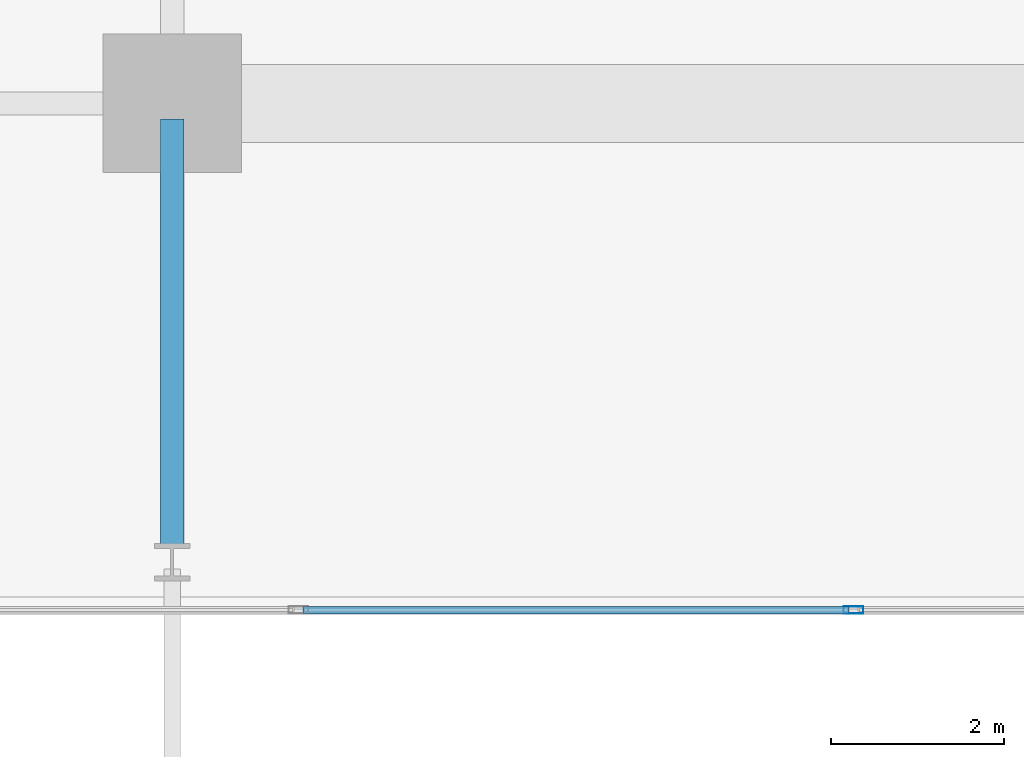
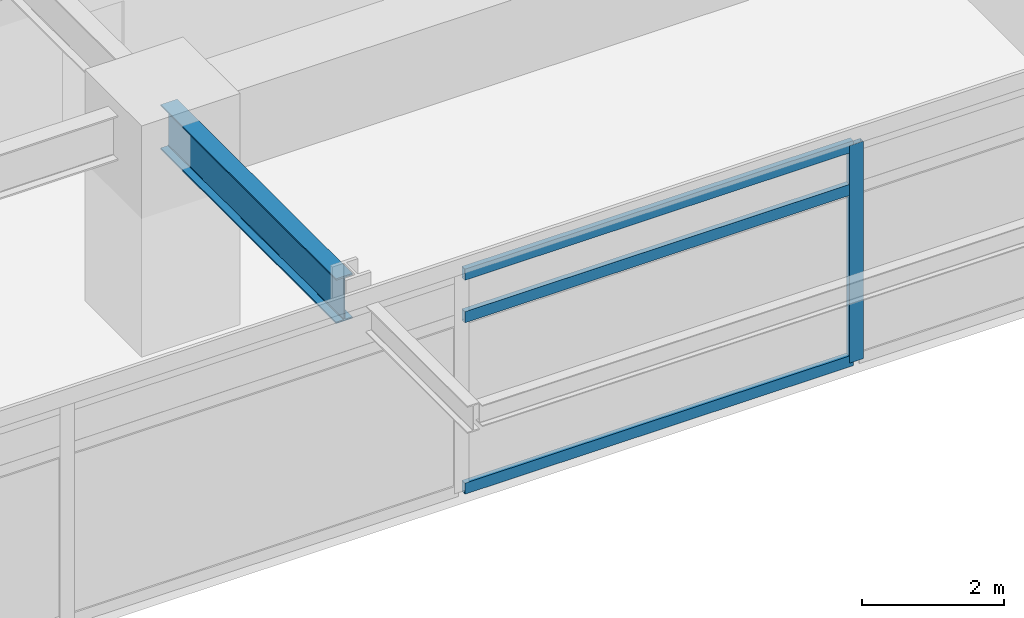
# One storey, part 4 of 24: 4 members, 1 beam, 1 element without a shape of its own.
"""IFC4 building model written with IfcOpenShell, lengths in metres."""

import ifcopenshell
import ifcopenshell.guid

model = None  # the IFC model being written
_history = None  # IfcOwnerHistory: only IFC2X3 demands one
_inside = {}  # id of a spatial element -> (the spatial element, [elements in it])
_under = {}  # id of a project, library or spatial element -> (it, [spatial elements below it])
_declared = {}  # id of a project -> (the project, [libraries it declares])
_typed = {}  # id of a type object -> (the type object, [elements of that type])
_made_of = {}  # id of a material, layer set ... -> (it, [elements and type objects made of it])


def new_model(schema):
    """Start an empty IFC model of exactly this schema.

    Asked for "IFC4X3", IfcOpenShell would pick the latest addendum, in which some entities
    have other attributes; the version numbers below select the first issue.
    IFC2X3 requires an IfcOwnerHistory on every rooted entity: one is made here for all.
    """
    global model, _history
    if schema == "IFC4X3":
        model = ifcopenshell.file(schema_version=(4, 3, 0, 0))
    else:
        model = ifcopenshell.file(schema=schema)
    _inside.clear()
    _under.clear()
    _declared.clear()
    _typed.clear()
    _made_of.clear()
    _history = None
    if model.schema == "IFC2X3":
        org = make("IfcOrganization", Name="unknown")
        user = make(
            "IfcPersonAndOrganization",
            ThePerson=make("IfcPerson", FamilyName="unknown"),
            TheOrganization=org,
        )
        app = make(
            "IfcApplication",
            ApplicationDeveloper=org,
            Version="unknown",
            ApplicationFullName="unknown",
            ApplicationIdentifier="unknown",
        )
        _history = make(
            "IfcOwnerHistory",
            OwningUser=user,
            OwningApplication=app,
            ChangeAction="ADDED",
            CreationDate=0,
        )
    return model


def make(cls, **values):
    """One entity of the class cls with the attributes given. An attribute that is None is left unset."""
    return model.create_entity(
        cls, **{name: value for name, value in values.items() if value is not None}
    )


def rooted(cls, **values):
    """An entity with a GlobalId (a new one), such as an element, a storey or a relation."""
    return make(cls, GlobalId=ifcopenshell.guid.new(), OwnerHistory=_history, **values)


def si_unit(unit_type, name, prefix=None):
    """IfcSIUnit, for example si_unit("LENGTHUNIT", "METRE", prefix="MILLI")."""
    return make("IfcSIUnit", UnitType=unit_type, Prefix=prefix, Name=name)


def assignment(units):
    """IfcUnitAssignment: the units of a project."""
    return None if units is None else make("IfcUnitAssignment", Units=units)


def point(xyz):
    """IfcCartesianPoint."""
    return None if xyz is None else make("IfcCartesianPoint", Coordinates=xyz)


def direction(xyz):
    """IfcDirection."""
    return None if xyz is None else make("IfcDirection", DirectionRatios=xyz)


def frame(location, z_axis=None, x_axis=None):
    """IfcAxis2Placement3D, a coordinate frame: its origin and axes. An axis left out is left unset."""
    return make(
        "IfcAxis2Placement3D",
        Location=point(location),
        Axis=direction(z_axis),
        RefDirection=direction(x_axis),
    )


def frame_2d(location, x_axis=None):
    """IfcAxis2Placement2D, a coordinate frame in the plane: its origin and x axis."""
    return make(
        "IfcAxis2Placement2D", Location=point(location), RefDirection=direction(x_axis)
    )


def origin():
    """The frame at (0, 0, 0) with its axes left unset."""
    return frame((0.0, 0.0, 0.0))


def origin_2d():
    """The frame at (0, 0) in the plane with its x axis left unset."""
    return frame_2d((0.0, 0.0))


def place(relative_to, where):
    """IfcLocalPlacement: puts the frame where relative to a parent placement (None: the world)."""
    return make(
        "IfcLocalPlacement", PlacementRelTo=relative_to, RelativePlacement=where
    )


def context(
    kind, dimensions, precision=None, world=None, true_north=None, identifier=None
):
    """IfcGeometricRepresentationContext, for example the 3D "Model" context."""
    return make(
        "IfcGeometricRepresentationContext",
        ContextIdentifier=identifier,
        ContextType=kind,
        CoordinateSpaceDimension=dimensions,
        Precision=precision,
        WorldCoordinateSystem=world,
        TrueNorth=true_north,
    )


def subcontext(parent, identifier, kind, view, scale=None):
    """IfcGeometricRepresentationSubContext, for example "Body" below "Model"."""
    return make(
        "IfcGeometricRepresentationSubContext",
        ContextIdentifier=identifier,
        ContextType=kind,
        ParentContext=parent,
        TargetScale=scale,
        TargetView=view,
    )


def project(units=None, contexts=None):
    """IfcProject with its units and contexts."""
    return rooted(
        "IfcProject",
        Name="project",
        RepresentationContexts=contexts,
        UnitsInContext=assignment(units),
    )


def spatial(cls, under=None, at=None, **own):
    """A site, building, storey or space (cls), placed at a placement, below another one or the project."""
    s = rooted(cls, ObjectPlacement=at, **own)
    if under is not None:
        _under.setdefault(under.id(), (under, []))[1].append(s)
    return s


def profile(cls, at=None, kind="AREA", **sizes):
    """A parametric profile (cls). Its sizes go by their IFC names, for example OverallWidth=200.0."""
    return make(cls, ProfileType=kind, Position=at, **sizes)


def hollow_rectangle(**sizes):
    """IfcRectangleHollowProfileDef."""
    return profile("IfcRectangleHollowProfileDef", **sizes)


def i_section(**sizes):
    """IfcIShapeProfileDef."""
    return profile("IfcIShapeProfileDef", **sizes)


def extrude(swept, where, along, depth):
    """IfcExtrudedAreaSolid: the profile swept, set in the frame where, extruded along a direction by depth."""
    return make(
        "IfcExtrudedAreaSolid",
        SweptArea=swept,
        Position=where,
        ExtrudedDirection=direction(along),
        Depth=depth,
    )


def shape(context_of_items, identifier, shape_type, items):
    """IfcShapeRepresentation: the items that make up one representation, for example the "Body"."""
    return make(
        "IfcShapeRepresentation",
        ContextOfItems=context_of_items,
        RepresentationIdentifier=identifier,
        RepresentationType=shape_type,
        Items=items,
    )


def material(Name=None, Category=None):
    """IfcMaterial."""
    return make("IfcMaterial", Name=Name, Category=Category)


def material_profile(
    of_material, cross_section, Name=None, Category=None, Priority=None
):
    """IfcMaterialProfile: a cross section and its material."""
    return make(
        "IfcMaterialProfile",
        Name=Name,
        Material=of_material,
        Profile=cross_section,
        Priority=Priority,
        Category=Category,
    )


def profile_set(profiles, Name=None, composite=None):
    """IfcMaterialProfileSet."""
    return make(
        "IfcMaterialProfileSet",
        Name=Name,
        MaterialProfiles=profiles,
        CompositeProfile=composite,
    )


def made_of(thing, what):
    """Note that an element or type object is made of a material, layer set ...; save() writes the relation."""
    if what is not None:
        _made_of.setdefault(what.id(), (what, []))[1].append(thing)
    return thing


def type_object(cls, material=None, **own):
    """A type object (cls), such as IfcWallType, which elements share."""
    return made_of(rooted(cls, **own), material)


def element(
    cls,
    number,
    at=None,
    inside=None,
    cuts=None,
    type_object=None,
    material=None,
    context=None,
    identifier="Body",
    shape_type=None,
    held_by="IfcProductDefinitionShape",
    body=None,
    shapes=None,
    **own,
):
    """One element of the class cls, such as IfcWall. Its Tag is "e" and its number.

    at: its placement. inside: the storey or other place that contains it. cuts: it is an
    opening in that element (IfcRelVoidsElement). A single representation is given by context,
    identifier, shape_type and body (its items); several are given by shapes. held_by: the class
    of the entity that holds the representations. save() writes the other relations.
    """
    e = rooted(cls, Tag="e%d" % number, ObjectPlacement=at, **own)
    if body is not None:
        shapes = [shape(context, identifier, shape_type, body)]
    if shapes is not None:
        e.Representation = make(held_by, Representations=shapes)
    if inside is not None:
        _inside.setdefault(inside.id(), (inside, []))[1].append(e)
    if cuts is not None:
        rooted(
            "IfcRelVoidsElement", RelatingBuildingElement=cuts, RelatedOpeningElement=e
        )
    if type_object is not None:
        _typed.setdefault(type_object.id(), (type_object, []))[1].append(e)
    return made_of(e, material)


def aggregate(whole, parts):
    """IfcRelAggregates: a whole, such as a stair, and the parts it consists of."""
    return rooted("IfcRelAggregates", RelatingObject=whole, RelatedObjects=parts)


def save(model, path):
    """Write the relations noted so far, then the file.

    IfcRelAggregates (storeys below a building ...), IfcRelContainedInSpatialStructure (elements
    in a storey), IfcRelDefinesByType, IfcRelAssociatesMaterial and IfcRelDeclares: one each for
    every whole, place, type object, material and project.
    """
    for whole, parts in _under.values():
        aggregate(whole, parts)
    for where, things in _inside.values():
        rooted(
            "IfcRelContainedInSpatialStructure",
            RelatedElements=things,
            RelatingStructure=where,
        )
    for kind, things in _typed.values():
        rooted("IfcRelDefinesByType", RelatedObjects=things, RelatingType=kind)
    for what, things in _made_of.values():
        rooted("IfcRelAssociatesMaterial", RelatedObjects=things, RelatingMaterial=what)
    for by, libraries in _declared.values():
        rooted("IfcRelDeclares", RelatingContext=by, RelatedDefinitions=libraries)
    model.write(path)


model = new_model("IFC4")

# Units and contexts
model_context = context("Model", 3, precision=1e-05, world=origin(), true_north=direction((0.0, 1.0)))
body_context = subcontext(model_context, "Body", "Model", "MODEL_VIEW")
ifc_project = project(units=[si_unit("LENGTHUNIT", "METRE"), si_unit("AREAUNIT", "SQUARE_METRE"), si_unit("VOLUMEUNIT", "CUBIC_METRE"), si_unit("PLANEANGLEUNIT", "RADIAN"), si_unit("MASSUNIT", "GRAM", prefix="KILO")], contexts=[model_context])

# Site, building, storey
site_placement = place(None, origin())
site = spatial("IfcSite", under=ifc_project, at=site_placement, CompositionType="ELEMENT")
building_placement = place(site_placement, origin())
building = spatial("IfcBuilding", under=site, at=building_placement, Name="Kovane Verandah Tower", CompositionType="ELEMENT")
storey_placement = place(building_placement, frame((0.0, 0.0, 132.39990234375)))
storey = spatial("IfcBuildingStorey", under=building, at=storey_placement, Name="L30", CompositionType="ELEMENT", Elevation=132.39990234375)

# Beam
ifc_material_1 = material(Name="Steel S355", Category="steel")
ifc_material_profile_1 = material_profile(ifc_material_1, i_section(OverallWidth=0.26806640625, OverallDepth=0.769775390625, WebThickness=0.015625, FlangeThickness=0.025390625, FilletRadius=0.0166015625, at=origin_2d()), Name="UB762x267x197")
ifc_profile_set_1 = profile_set([ifc_material_profile_1], Name="Steel S355")
beam_type = type_object("IfcBeamType", Name="BM-UB762x197", PredefinedType="BEAM", material=ifc_profile_set_1)
beam_placement = place(storey_placement, frame((29.0, 10.6201171875, 3.375244140625), z_axis=(0.0, -1.0, 0.0), x_axis=(1.0, 0.0, 0.0)))
element("IfcBeam", 1, at=beam_placement, inside=storey, type_object=beam_type, Name="L30 Primary Tower Girder G-VS1", PredefinedType="BEAM", context=body_context, shape_type="SweptSolid", body=[
    extrude(i_section(OverallWidth=0.26806640625, OverallDepth=0.769775390625, WebThickness=0.015625, FlangeThickness=0.025390625, FilletRadius=0.0166015625, at=origin_2d()), origin(), (0.0, 0.0, 1.0), 4.940185546875),
])

# Curtain wall, members
ifc_material_2 = material(Name="Champagne Anodised Aluminium Frame with Low-E Clear Laminated Glass", Category="aluminium")
curtain_wall_type = type_object("IfcCurtainWallType", Name="CW-SYS-03-MID", PredefinedType="NOTDEFINED", material=ifc_material_2)
curtain_wall_placement = place(storey_placement, origin())
curtain_wall = element("IfcCurtainWall", 2, at=curtain_wall_placement, inside=storey, type_object=curtain_wall_type, Name="L30 S Unitised Curtain Wall", PredefinedType="NOTDEFINED")
ifc_material_3 = material(Name="Champagne Anodised Aluminium 6063-T6", Category="aluminium")
ifc_material_profile_2 = material_profile(ifc_material_3, hollow_rectangle(XDim=0.0849609375, YDim=0.22998046875, WallThickness=0.00390625, at=origin_2d()), Name="AL85x230x4")
ifc_profile_set_2 = profile_set([ifc_material_profile_2], Name="Champagne Anodised Aluminium 6063-T6")
member_type_1 = type_object("IfcMemberType", Name="CW-MUL-85x230", PredefinedType="MULLION", material=ifc_profile_set_2)
member_1_placement = place(storey_placement, frame((36.870361328125, 4.9462890625, 0.02001953125), z_axis=(0.0, 0.0, 1.0), x_axis=(0.0, -1.0, 0.0)))
member_1 = element("IfcMember", 3, at=member_1_placement, type_object=member_type_1, Name="L30 S Unitised Curtain Wall Mullion 4", PredefinedType="MULLION", context=body_context, shape_type="SweptSolid", body=[
    extrude(hollow_rectangle(XDim=0.0849609375, YDim=0.22998046875, WallThickness=0.00390625, at=origin_2d()), origin(), (0.0, 0.0, 1.0), 3.735107421875),
])
ifc_material_profile_3 = material_profile(ifc_material_3, hollow_rectangle(XDim=0.0849609375, YDim=0.18994140625, WallThickness=0.00390625, at=origin_2d()), Name="AL85x190x4")
ifc_profile_set_3 = profile_set([ifc_material_profile_3], Name="Champagne Anodised Aluminium 6063-T6")
member_type_2 = type_object("IfcMemberType", Name="CW-TRN-85x190", PredefinedType="USERDEFINED", material=ifc_profile_set_3)
member_2_placement = place(storey_placement, frame((30.509521484375, 4.9462890625, 0.050048828125), z_axis=(1.0, 0.0, 0.0), x_axis=(0.0, 1.0, 0.0)))
member_2 = element("IfcMember", 4, at=member_2_placement, type_object=member_type_2, Name="L30 S Unitised Curtain Wall Transom TB Bay 3", ObjectType="TRANSOM", PredefinedType="USERDEFINED", context=body_context, shape_type="SweptSolid", body=[
    extrude(hollow_rectangle(XDim=0.0849609375, YDim=0.18994140625, WallThickness=0.00390625, at=origin_2d()), origin(), (0.0, 0.0, 1.0), 6.310791015625),
])
member_3_placement = place(storey_placement, frame((30.509521484375, 4.9462890625, 2.9951171875), z_axis=(1.0, 0.0, 0.0), x_axis=(0.0, 1.0, 0.0)))
member_3 = element("IfcMember", 5, at=member_3_placement, type_object=member_type_2, Name="L30 S Unitised Curtain Wall Transom TM Bay 3", ObjectType="TRANSOM", PredefinedType="USERDEFINED", context=body_context, shape_type="SweptSolid", body=[
    extrude(hollow_rectangle(XDim=0.0849609375, YDim=0.18994140625, WallThickness=0.00390625, at=origin_2d()), origin(), (0.0, 0.0, 1.0), 6.310791015625),
])
member_4_placement = place(storey_placement, frame((30.509521484375, 4.9462890625, 3.72509765625), z_axis=(1.0, 0.0, 0.0), x_axis=(0.0, 1.0, 0.0)))
member_4 = element("IfcMember", 6, at=member_4_placement, type_object=member_type_2, Name="L30 S Unitised Curtain Wall Transom TT Bay 3", ObjectType="TRANSOM", PredefinedType="USERDEFINED", context=body_context, shape_type="SweptSolid", body=[
    extrude(hollow_rectangle(XDim=0.0849609375, YDim=0.18994140625, WallThickness=0.00390625, at=origin_2d()), origin(), (0.0, 0.0, 1.0), 6.310791015625),
])
aggregate(curtain_wall, [member_1, member_2, member_3, member_4])

save(model, "model.ifc")
